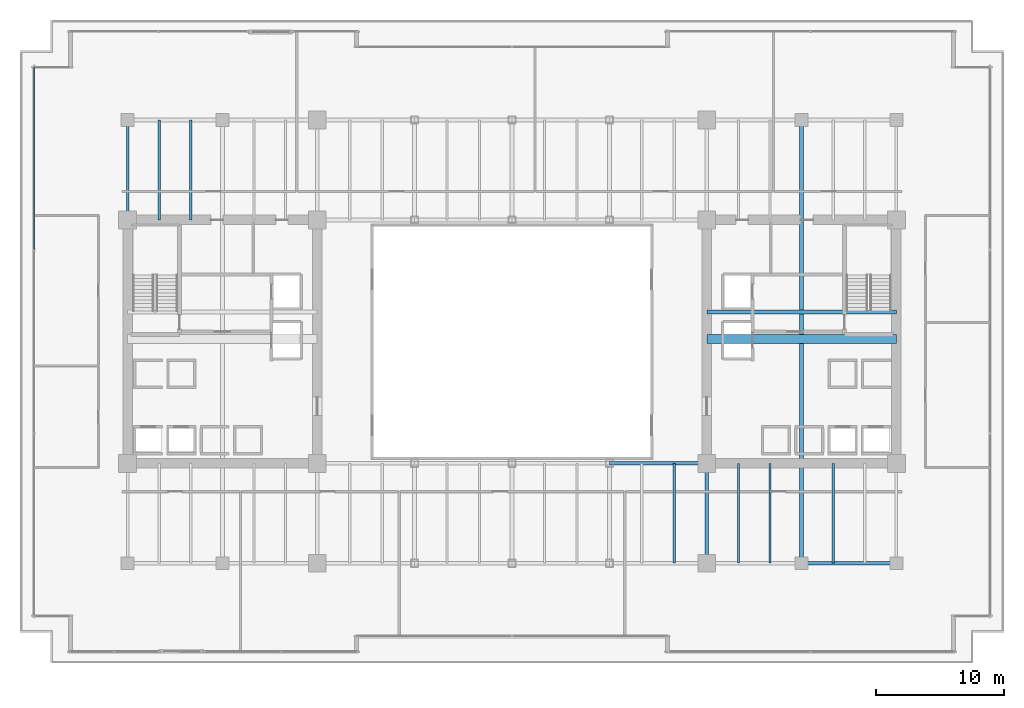
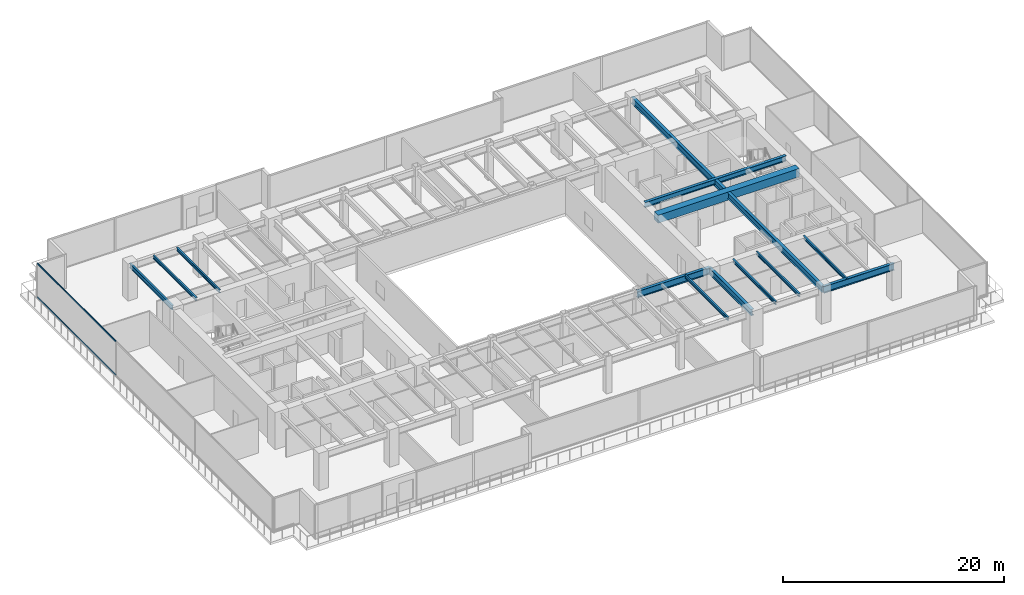
# One storey, part 11 of 36: 13 beams, 2 members, 1 element without a shape of its own.
"""IFC4 building model written with IfcOpenShell, lengths in metres."""

from ifc_helpers import new_model, si_unit, direction, frame, origin, origin_2d, place, context, subcontext, project, spatial, rectangle, hollow_rectangle, i_section, extrude, source, transform, mapped, material, layer, layer_set, material_profile, profile_set, type_object, type_shapes, element, aggregate, save


model = new_model("IFC4")

# Units and contexts
model_context = context("Model", 3, precision=1e-05, world=origin(), true_north=direction((0.0, 1.0)))
body_context = subcontext(model_context, "Body", "Model", "MODEL_VIEW")
ifc_project = project(units=[si_unit("LENGTHUNIT", "METRE"), si_unit("AREAUNIT", "SQUARE_METRE"), si_unit("VOLUMEUNIT", "CUBIC_METRE"), si_unit("PLANEANGLEUNIT", "RADIAN"), si_unit("MASSUNIT", "GRAM", prefix="KILO")], contexts=[model_context])

# Site, building, storey
site_placement = place(None, origin())
site = spatial("IfcSite", under=ifc_project, at=site_placement, CompositionType="ELEMENT")
building_placement = place(site_placement, origin())
building = spatial("IfcBuilding", under=site, at=building_placement, Name="Haelvirn Gate Laboratories", CompositionType="ELEMENT")
storey_placement = place(building_placement, frame((0.0, 0.0, 25.199951171875)))
storey = spatial("IfcBuildingStorey", under=building, at=storey_placement, Name="L06", CompositionType="ELEMENT", Elevation=25.199951171875)

# Beams
ifc_material_1 = material(Name="Concrete C60/75", Category="concrete")
ifc_material_profile_1 = material_profile(ifc_material_1, rectangle(XDim=0.699951171875, YDim=0.89990234375, at=origin_2d()), Name="RCB-700x900")
ifc_profile_set_1 = profile_set([ifc_material_profile_1], Name="Concrete C60/75")
beam_type_1 = type_object("IfcBeamType", Name="BM-RCB-900", PredefinedType="LINTEL", material=ifc_profile_set_1)
shared_shape_1 = source(origin(), body_context, "Body", "SweptSolid", [
    extrude(rectangle(XDim=0.699951171875, YDim=0.89990234375, at=origin_2d()), origin(), (0.0, 0.0, 1.0), 14.7998046875),
])
type_shapes(beam_type_1, [shared_shape_1])
beam_1_placement = place(storey_placement, frame((52.60009765625, 24.5, 3.330078125), z_axis=(1.0, 0.0, 0.0), x_axis=(0.0, 1.0, 0.0)))
element("IfcBeam", 1, at=beam_1_placement, inside=storey, type_object=beam_type_1, Name="L06 East Core Coupling Beam", PredefinedType="LINTEL", context=body_context, shape_type="MappedRepresentation", body=[
    mapped(shared_shape_1, transform((0.0, 0.0, 0.0), scale=1.0)),
])
ifc_material_2 = material(Name="Steel SM355", Category="steel")
ifc_material_profile_2 = material_profile(ifc_material_2, i_section(OverallWidth=0.300048828125, OverallDepth=0.587890625, WebThickness=0.011962890625, FlangeThickness=0.02001953125, at=origin_2d()), Name="H-588x300x12x20")
ifc_profile_set_2 = profile_set([ifc_material_profile_2], Name="Steel SM355")
beam_type_2 = type_object("IfcBeamType", Name="BM-G-588", PredefinedType="BEAM", material=ifc_profile_set_2)
shared_shape_2 = source(origin(), body_context, "Body", "SweptSolid", [
    extrude(i_section(OverallWidth=0.300048828125, OverallDepth=0.587890625, WebThickness=0.011962890625, FlangeThickness=0.02001953125, at=origin_2d()), origin(), (0.0, 0.0, 1.0), 14.7998046875),
])
type_shapes(beam_type_2, [shared_shape_2])
beam_2_placement = place(storey_placement, frame((52.60009765625, 26.6201171875, 3.486083984375), z_axis=(1.0, 0.0, 0.0), x_axis=(0.0, 1.0, 0.0)))
element("IfcBeam", 2, at=beam_2_placement, inside=storey, type_object=beam_type_2, Name="L06 Stair ST2 Landing Header", PredefinedType="BEAM", context=body_context, shape_type="MappedRepresentation", body=[
    mapped(shared_shape_2, transform((0.0, 0.0, 0.0), scale=1.0)),
])
ifc_material_profile_3 = material_profile(ifc_material_2, i_section(OverallWidth=0.300048828125, OverallDepth=0.699951171875, WebThickness=0.012939453125, FlangeThickness=0.02392578125, at=origin_2d()), Name="H-700x300x13x24")
ifc_profile_set_3 = profile_set([ifc_material_profile_3], Name="Steel SM355")
beam_type_3 = type_object("IfcBeamType", Name="BM-G-700", PredefinedType="BEAM", material=ifc_profile_set_3)
shared_shape_3 = source(origin(), body_context, "Body", "SweptSolid", [
    extrude(i_section(OverallWidth=0.300048828125, OverallDepth=0.699951171875, WebThickness=0.012939453125, FlangeThickness=0.02392578125, at=origin_2d()), origin(), (0.0, 0.0, 1.0), 7.800048828125),
])
beam_3_placement = place(storey_placement, frame((52.60009765625, 7.0, 3.429931640625), z_axis=(0.0, 1.0, 0.0), x_axis=(-1.0, 0.0, 0.0)))
element("IfcBeam", 3, at=beam_3_placement, inside=storey, type_object=beam_type_3, Name="L06 Frame Girder X52.6 (7.0-14.8)", PredefinedType="BEAM", context=body_context, shape_type="MappedRepresentation", body=[
    mapped(shared_shape_3, transform((0.0, 0.0, 0.0), scale=1.0)),
])
shared_shape_4 = source(origin(), body_context, "Body", "SweptSolid", [
    extrude(i_section(OverallWidth=0.300048828125, OverallDepth=0.699951171875, WebThickness=0.012939453125, FlangeThickness=0.02392578125, at=origin_2d()), origin(), (0.0, 0.0, 1.0), 34.60009765625),
])
type_shapes(beam_type_3, [shared_shape_3, shared_shape_4])
beam_4_placement = place(storey_placement, frame((60.0, 7.0, 3.429931640625), z_axis=(0.0, 1.0, 0.0), x_axis=(-1.0, 0.0, 0.0)))
element("IfcBeam", 4, at=beam_4_placement, inside=storey, type_object=beam_type_3, Name="L06 Frame Girder X60.0 (7.0-41.6)", PredefinedType="BEAM", context=body_context, shape_type="MappedRepresentation", body=[
    mapped(shared_shape_4, transform((0.0, 0.0, 0.0), scale=1.0)),
])
ifc_material_profile_4 = material_profile(ifc_material_2, i_section(OverallWidth=0.300048828125, OverallDepth=0.75, WebThickness=0.013916015625, FlangeThickness=0.02392578125, at=origin_2d()), Name="H-750x300x14x24")
ifc_profile_set_4 = profile_set([ifc_material_profile_4], Name="Steel SM355")
beam_type_4 = type_object("IfcBeamType", Name="BM-G-750", PredefinedType="BEAM", material=ifc_profile_set_4)
shared_shape_5 = source(origin(), body_context, "Body", "SweptSolid", [
    extrude(i_section(OverallWidth=0.300048828125, OverallDepth=0.75, WebThickness=0.013916015625, FlangeThickness=0.02392578125, at=origin_2d()), origin(), (0.0, 0.0, 1.0), 7.39990234375),
])
beam_5_placement = place(storey_placement, frame((60.0, 7.0, 3.405029296875), z_axis=(1.0, 0.0, 0.0), x_axis=(0.0, 1.0, 0.0)))
element("IfcBeam", 5, at=beam_5_placement, inside=storey, type_object=beam_type_4, Name="L06 Primary Girder Y7.0 (60.0-67.4)", PredefinedType="BEAM", context=body_context, shape_type="MappedRepresentation", body=[
    mapped(shared_shape_5, transform((0.0, 0.0, 0.0), scale=1.0)),
])
shared_shape_6 = source(origin(), body_context, "Body", "SweptSolid", [
    extrude(i_section(OverallWidth=0.300048828125, OverallDepth=0.75, WebThickness=0.013916015625, FlangeThickness=0.02392578125, at=origin_2d()), origin(), (0.0, 0.0, 1.0), 7.60009765625),
])
type_shapes(beam_type_4, [shared_shape_5, shared_shape_6])
beam_6_placement = place(storey_placement, frame((45.0, 14.800048828125, 3.405029296875), z_axis=(1.0, 0.0, 0.0), x_axis=(0.0, 1.0, 0.0)))
element("IfcBeam", 6, at=beam_6_placement, inside=storey, type_object=beam_type_4, Name="L06 Primary Girder Y14.8 (45.0-52.6)", PredefinedType="BEAM", context=body_context, shape_type="MappedRepresentation", body=[
    mapped(shared_shape_6, transform((0.0, 0.0, 0.0), scale=1.0)),
])
ifc_material_profile_5 = material_profile(ifc_material_2, i_section(OverallWidth=0.199951171875, OverallDepth=0.5, WebThickness=0.010009765625, FlangeThickness=0.01611328125, at=origin_2d()), Name="H-500x200x10x16")
ifc_profile_set_5 = profile_set([ifc_material_profile_5], Name="Steel SM355")
beam_type_5 = type_object("IfcBeamType", Name="BM-SP-500", PredefinedType="SPANDREL", material=ifc_profile_set_5)
shared_shape_7 = source(origin(), body_context, "Body", "SweptSolid", [
    extrude(i_section(OverallWidth=0.199951171875, OverallDepth=0.5, WebThickness=0.010009765625, FlangeThickness=0.01611328125, at=origin_2d()), origin(), (0.0, 0.0, 1.0), 7.800048828125),
])
type_shapes(beam_type_5, [shared_shape_7])
beam_7_placement = place(storey_placement, frame((7.39990234375, 33.800048828125, 3.530029296875), z_axis=(0.0, 1.0, 0.0), x_axis=(-1.0, 0.0, 0.0)))
element("IfcBeam", 7, at=beam_7_placement, inside=storey, type_object=beam_type_5, Name="L06 Perimeter Spandrel X7.4 (33.8-41.6)", PredefinedType="SPANDREL", context=body_context, shape_type="MappedRepresentation", body=[
    mapped(shared_shape_7, transform((0.0, 0.0, 0.0), scale=1.0)),
])
ifc_material_profile_6 = material_profile(ifc_material_2, i_section(OverallWidth=0.175048828125, OverallDepth=0.35009765625, WebThickness=0.007080078125, FlangeThickness=0.010986328125, at=origin_2d()), Name="H-350x175x7x11")
ifc_profile_set_6 = profile_set([ifc_material_profile_6], Name="Steel SM355")
beam_type_6 = type_object("IfcBeamType", Name="BM-J-350", PredefinedType="JOIST", material=ifc_profile_set_6)
shared_shape_8 = source(origin(), body_context, "Body", "SweptSolid", [
    extrude(i_section(OverallWidth=0.175048828125, OverallDepth=0.35009765625, WebThickness=0.007080078125, FlangeThickness=0.010986328125, at=origin_2d()), origin(), (0.0, 0.0, 1.0), 7.800048828125),
])
type_shapes(beam_type_6, [shared_shape_8])
for number, where, z_axis, x_axis, name in (
    (8, (9.8701171875, 33.800048828125, 3.60498046875), (0.0, 1.0, 0.0), (-1.0, 0.0, 0.0), "L06 Composite Lab Joist North X9.87"),
    (9, (12.330078125, 33.800048828125, 3.60498046875), (0.0, 1.0, 0.0), (-1.0, 0.0, 0.0), "L06 Composite Lab Joist North X12.33"),
    (10, (50.070068359375, 7.0, 3.60498046875), (0.0, 1.0, 0.0), (-1.0, 0.0, 0.0), "L06 Composite Lab Joist South X50.07"),
    (11, (55.070068359375, 7.0, 3.60498046875), (0.0, 1.0, 0.0), (-1.0, 0.0, 0.0), "L06 Composite Lab Joist South X55.07"),
    (12, (57.530029296875, 7.0, 3.60498046875), (0.0, 1.0, 0.0), (-1.0, 0.0, 0.0), "L06 Composite Lab Joist South X57.53"),
    (13, (62.469970703125, 7.0, 3.60498046875), (0.0, 1.0, 0.0), (-1.0, 0.0, 0.0), "L06 Composite Lab Joist South X62.47"),
):
    element("IfcBeam", number, at=place(storey_placement, frame(where, z_axis=z_axis, x_axis=x_axis)), inside=storey, type_object=beam_type_6, Name=name, PredefinedType="JOIST", context=body_context, shape_type="MappedRepresentation", body=[
        mapped(shared_shape_8, transform((0.0, 0.0, 0.0), scale=1.0)),
    ])

# Curtain wall, members
ifc_material_3 = material(Name="Anodised bronze unitised aluminium & triple low-E glass", Category="aluminium")
ifc_layer = layer(ifc_material_3, 0.18408203125, Name="CW-SYS-2")
ifc_layer_set = layer_set([ifc_layer], Name="Anodised bronze unitised aluminium & triple low-E glass")
curtain_wall_type = type_object("IfcCurtainWallType", Name="CW-SYS-2", PredefinedType="NOTDEFINED", material=ifc_layer_set)
curtain_wall_placement = place(storey_placement, origin())
curtain_wall = element("IfcCurtainWall", 14, at=curtain_wall_placement, inside=storey, type_object=curtain_wall_type, Name="L06 Unitised Curtain Wall CW-L06-P0-E17", PredefinedType="NOTDEFINED")
ifc_material_4 = material(Name="Extruded aluminium 6063-T6 (anodised bronze)", Category="aluminium")
ifc_material_profile_7 = material_profile(ifc_material_4, hollow_rectangle(XDim=0.070068359375, YDim=0.159912109375, WallThickness=0.0048828125, at=origin_2d()), Name="CWT-160x70x5")
ifc_profile_set_7 = profile_set([ifc_material_profile_7], Name="Extruded aluminium 6063-T6 (anodised bronze)")
member_type = type_object("IfcMemberType", Name="CWT-T160", PredefinedType="USERDEFINED", material=ifc_profile_set_7)
shared_shape_9 = source(origin(), body_context, "Body", "SweptSolid", [
    extrude(hollow_rectangle(XDim=0.070068359375, YDim=0.159912109375, WallThickness=0.0048828125, at=origin_2d()), origin(), (0.0, 0.0, 1.0), 14.220947265625),
])
type_shapes(member_type, [shared_shape_9])
member_1_placement = place(storey_placement, frame((0.10009765625, 45.72509765625, 0.03515625), z_axis=(0.0, -1.0, 0.0), x_axis=(1.0, 0.0, 0.0)))
member_1 = element("IfcMember", 15, at=member_1_placement, type_object=member_type, Name="CW2 transom 1.1", ObjectType="TRANSOM", PredefinedType="USERDEFINED", context=body_context, shape_type="MappedRepresentation", body=[
    mapped(shared_shape_9, transform((0.0, 0.0, 0.0), scale=1.0)),
])
member_2_placement = place(storey_placement, frame((0.10009765625, 45.72509765625, 3.7451171875), z_axis=(0.0, -1.0, 0.0), x_axis=(1.0, 0.0, 0.0)))
member_2 = element("IfcMember", 16, at=member_2_placement, type_object=member_type, Name="CW2 transom 1.2", ObjectType="TRANSOM", PredefinedType="USERDEFINED", context=body_context, shape_type="MappedRepresentation", body=[
    mapped(shared_shape_9, transform((0.0, 0.0, 0.0), scale=1.0)),
])
aggregate(curtain_wall, [member_1, member_2])

save(model, "model.ifc")
